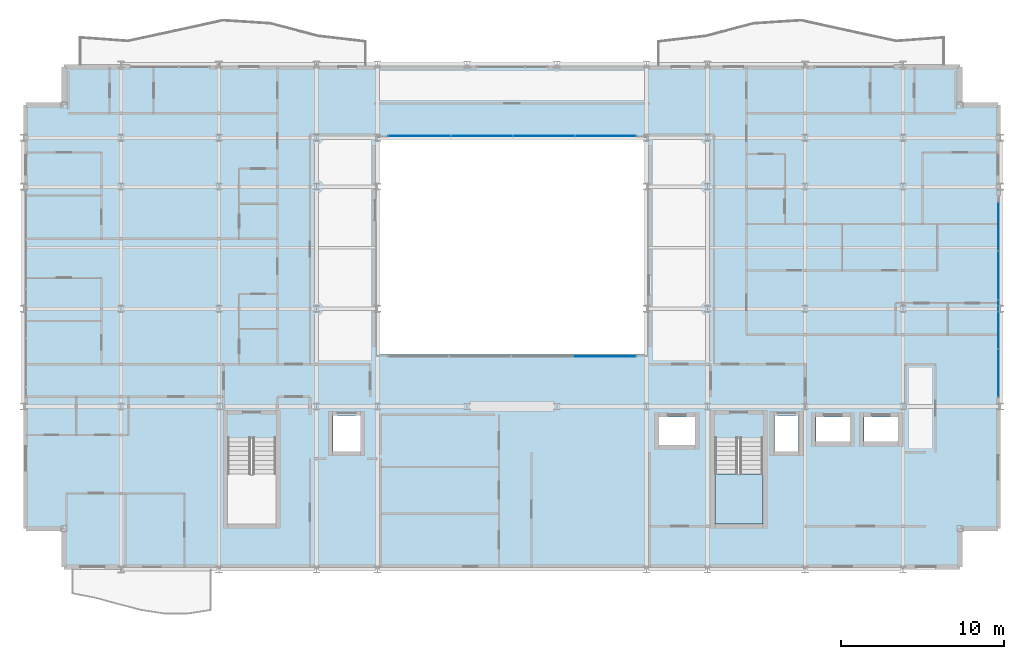
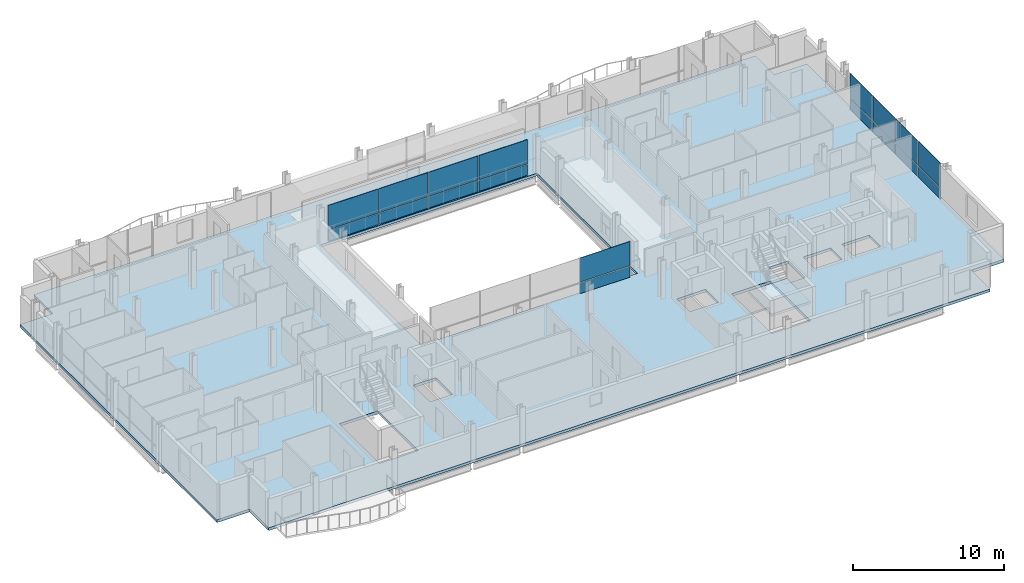
# One storey, part 29 of 41: 18 plates, 2 slabs, 4 elements without a shape of their own.
"""IFC4 building model written with IfcOpenShell, lengths in metres."""

from ifc_helpers import new_model, si_unit, direction, frame, origin, origin_2d, place, context, subcontext, project, spatial, polyline, rectangle, outline, extrude, material, layer, layer_set, type_object, element, aggregate, save


model = new_model("IFC4")

# Units and contexts
model_context = context("Model", 3, precision=1e-05, world=origin(), true_north=direction((0.0, 1.0)))
body_context = subcontext(model_context, "Body", "Model", "MODEL_VIEW")
ifc_project = project(units=[si_unit("LENGTHUNIT", "METRE"), si_unit("AREAUNIT", "SQUARE_METRE"), si_unit("VOLUMEUNIT", "CUBIC_METRE"), si_unit("PLANEANGLEUNIT", "RADIAN"), si_unit("MASSUNIT", "GRAM", prefix="KILO")], contexts=[model_context])

# Site, building, storey
site_placement = place(None, origin())
site = spatial("IfcSite", under=ifc_project, at=site_placement, CompositionType="ELEMENT")
building_placement = place(site_placement, origin())
building = spatial("IfcBuilding", under=site, at=building_placement, Name="Brevholm Reach", CompositionType="ELEMENT")
storey_placement = place(building_placement, frame((0.0, 0.0, 138.699951171875)))
storey = spatial("IfcBuildingStorey", under=building, at=storey_placement, Name="L41", CompositionType="ELEMENT", Elevation=138.699951171875)

# Curtain wall, plates
ifc_material_1 = material(Name="Dark Anodised Aluminium 6063-T6 and Solar-Control Glass", Category="aluminium")
ifc_layer_1 = layer(ifc_material_1, 0.14990234375)
ifc_layer_set_1 = layer_set([ifc_layer_1], Name="Dark Anodised Aluminium 6063-T6 and Solar-Control Glass")
curtain_wall_type_1 = type_object("IfcCurtainWallType", Name="CW-01", PredefinedType="NOTDEFINED", material=ifc_layer_set_1)
curtain_wall_1_placement = place(storey_placement, origin())
curtain_wall_1 = element("IfcCurtainWall", 1, at=curtain_wall_1_placement, inside=storey, type_object=curtain_wall_type_1, Name="L41 Curtain Wall CW-01", PredefinedType="NOTDEFINED")
ifc_material_2 = material(Name="Dark Solar-Control Double-Glazed IGU Glass", Category="glass")
ifc_layer_2 = layer(ifc_material_2, 0.028076171875)
ifc_layer_set_2 = layer_set([ifc_layer_2], Name="Dark Solar-Control Double-Glazed IGU Glass")
plate_type_1 = type_object("IfcPlateType", Name="CWP-GLZ-28", PredefinedType="CURTAIN_PANEL", material=ifc_layer_set_2)
plate_1_placement = place(storey_placement, frame((59.85009765625, 12.066162109375, 0.0), z_axis=(0.0, 0.0, 1.0), x_axis=(0.0, 1.0, 0.0)))
plate_1 = element("IfcPlate", 2, at=plate_1_placement, type_object=plate_type_1, Name="CP-01 Glazing Panel 1.1", PredefinedType="CURTAIN_PANEL", context=body_context, shape_type="SweptSolid", body=[
    extrude(rectangle(XDim=2.902587890625, YDim=0.028076171875, at=origin_2d()), origin(), (0.0, 0.0, 1.0), 0.867431640625),
])
plate_2_placement = place(storey_placement, frame((59.85009765625, 12.066162109375, 0.9326171875), z_axis=(0.0, 0.0, 1.0), x_axis=(0.0, 1.0, 0.0)))
plate_2 = element("IfcPlate", 3, at=plate_2_placement, type_object=plate_type_1, Name="CP-01 Glazing Panel 1.2", PredefinedType="CURTAIN_PANEL", context=body_context, shape_type="SweptSolid", body=[
    extrude(rectangle(XDim=2.902587890625, YDim=0.028076171875, at=origin_2d()), origin(), (0.0, 0.0, 1.0), 1.947509765625),
])
plate_3_placement = place(storey_placement, frame((59.85009765625, 15.050048828125, 0.0), z_axis=(0.0, 0.0, 1.0), x_axis=(0.0, 1.0, 0.0)))
plate_3 = element("IfcPlate", 4, at=plate_3_placement, type_object=plate_type_1, Name="CP-01 Glazing Panel 2.1", PredefinedType="CURTAIN_PANEL", context=body_context, shape_type="SweptSolid", body=[
    extrude(rectangle(XDim=2.93505859375, YDim=0.028076171875, at=origin_2d()), origin(), (0.0, 0.0, 1.0), 0.867431640625),
])
plate_4_placement = place(storey_placement, frame((59.85009765625, 15.050048828125, 0.9326171875), z_axis=(0.0, 0.0, 1.0), x_axis=(0.0, 1.0, 0.0)))
plate_4 = element("IfcPlate", 5, at=plate_4_placement, type_object=plate_type_1, Name="CP-01 Glazing Panel 2.2", PredefinedType="CURTAIN_PANEL", context=body_context, shape_type="SweptSolid", body=[
    extrude(rectangle(XDim=2.93505859375, YDim=0.028076171875, at=origin_2d()), origin(), (0.0, 0.0, 1.0), 1.947509765625),
])
plate_5_placement = place(storey_placement, frame((59.85009765625, 18.050048828125, 0.0), z_axis=(0.0, 0.0, 1.0), x_axis=(0.0, 1.0, 0.0)))
plate_5 = element("IfcPlate", 6, at=plate_5_placement, type_object=plate_type_1, Name="CP-01 Glazing Panel 3.1", PredefinedType="CURTAIN_PANEL", context=body_context, shape_type="SweptSolid", body=[
    extrude(rectangle(XDim=2.93505859375, YDim=0.028076171875, at=origin_2d()), origin(), (0.0, 0.0, 1.0), 0.867431640625),
])
plate_6_placement = place(storey_placement, frame((59.85009765625, 18.050048828125, 0.9326171875), z_axis=(0.0, 0.0, 1.0), x_axis=(0.0, 1.0, 0.0)))
plate_6 = element("IfcPlate", 7, at=plate_6_placement, type_object=plate_type_1, Name="CP-01 Glazing Panel 3.2", PredefinedType="CURTAIN_PANEL", context=body_context, shape_type="SweptSolid", body=[
    extrude(rectangle(XDim=2.93505859375, YDim=0.028076171875, at=origin_2d()), origin(), (0.0, 0.0, 1.0), 1.947509765625),
])
plate_7_placement = place(storey_placement, frame((59.85009765625, 21.050048828125, 0.0), z_axis=(0.0, 0.0, 1.0), x_axis=(0.0, 1.0, 0.0)))
plate_7 = element("IfcPlate", 8, at=plate_7_placement, type_object=plate_type_1, Name="CP-01 Glazing Panel 4.1", PredefinedType="CURTAIN_PANEL", context=body_context, shape_type="SweptSolid", body=[
    extrude(rectangle(XDim=2.93505859375, YDim=0.028076171875, at=origin_2d()), origin(), (0.0, 0.0, 1.0), 0.867431640625),
])
plate_8_placement = place(storey_placement, frame((59.85009765625, 21.050048828125, 0.9326171875), z_axis=(0.0, 0.0, 1.0), x_axis=(0.0, 1.0, 0.0)))
plate_8 = element("IfcPlate", 9, at=plate_8_placement, type_object=plate_type_1, Name="CP-01 Glazing Panel 4.2", PredefinedType="CURTAIN_PANEL", context=body_context, shape_type="SweptSolid", body=[
    extrude(rectangle(XDim=2.93505859375, YDim=0.028076171875, at=origin_2d()), origin(), (0.0, 0.0, 1.0), 1.947509765625),
])
aggregate(curtain_wall_1, [plate_1, plate_2, plate_3, plate_4, plate_5, plate_6, plate_7, plate_8])

ifc_material_3 = material(Name="Dark Anodised Aluminium 6063-T6 and Solar-Control Glass", Category="aluminium")
ifc_layer_3 = layer(ifc_material_3, 0.139892578125)
ifc_layer_set_3 = layer_set([ifc_layer_3], Name="Dark Anodised Aluminium 6063-T6 and Solar-Control Glass")
curtain_wall_type_2 = type_object("IfcCurtainWallType", Name="CW-02", PredefinedType="NOTDEFINED", material=ifc_layer_set_3)
curtain_wall_2_placement = place(storey_placement, origin())
curtain_wall_2 = element("IfcCurtainWall", 10, at=curtain_wall_2_placement, inside=storey, type_object=curtain_wall_type_2, Name="L41 Curtain Wall CW-02", PredefinedType="NOTDEFINED")
ifc_material_4 = material(Name="Low-Iron Laminated Acoustic Glass", Category="glass")
ifc_layer_4 = layer(ifc_material_4, 0.035888671875)
ifc_layer_set_4 = layer_set([ifc_layer_4], Name="Low-Iron Laminated Acoustic Glass")
plate_type_2 = type_object("IfcPlateType", Name="CWP-GLZ-36", PredefinedType="CURTAIN_PANEL", material=ifc_layer_set_4)
plate_9_placement = place(storey_placement, frame((35.68505859375, 13.080078125, 0.0), z_axis=(0.0, 0.0, 1.0), x_axis=(1.0, 0.0, 0.0)))
plate_9 = element("IfcPlate", 11, at=plate_9_placement, type_object=plate_type_2, Name="CP-02 Glazing Panel 4.1", PredefinedType="CURTAIN_PANEL", context=body_context, shape_type="SweptSolid", body=[
    extrude(rectangle(XDim=3.81005859375, YDim=0.035888671875, at=origin_2d()), origin(), (0.0, 0.0, 1.0), 0.8701171875),
])
plate_10_placement = place(storey_placement, frame((35.68505859375, 13.080078125, 0.93017578125), z_axis=(0.0, 0.0, 1.0), x_axis=(1.0, 0.0, 0.0)))
plate_10 = element("IfcPlate", 12, at=plate_10_placement, type_object=plate_type_2, Name="CP-02 Glazing Panel 4.2", PredefinedType="CURTAIN_PANEL", context=body_context, shape_type="SweptSolid", body=[
    extrude(rectangle(XDim=3.81005859375, YDim=0.035888671875, at=origin_2d()), origin(), (0.0, 0.0, 1.0), 1.949951171875),
])
aggregate(curtain_wall_2, [plate_9, plate_10])

curtain_wall_3_placement = place(storey_placement, origin())
curtain_wall_3 = element("IfcCurtainWall", 13, at=curtain_wall_3_placement, inside=storey, type_object=curtain_wall_type_2, Name="L41 Curtain Wall CW-02", PredefinedType="NOTDEFINED")
plate_11_placement = place(storey_placement, frame((35.735107421875, 26.6201171875, 0.0), z_axis=(0.0, 0.0, 1.0), x_axis=(-1.0, 0.0, 0.0)))
plate_11 = element("IfcPlate", 14, at=plate_11_placement, type_object=plate_type_2, Name="CP-02 Glazing Panel 1.1", PredefinedType="CURTAIN_PANEL", context=body_context, shape_type="SweptSolid", body=[
    extrude(rectangle(XDim=3.7099609375, YDim=0.035888671875, at=origin_2d()), origin(), (0.0, 0.0, 1.0), 0.8701171875),
])
plate_12_placement = place(storey_placement, frame((35.735107421875, 26.6201171875, 0.93017578125), z_axis=(0.0, 0.0, 1.0), x_axis=(-1.0, 0.0, 0.0)))
plate_12 = element("IfcPlate", 15, at=plate_12_placement, type_object=plate_type_2, Name="CP-02 Glazing Panel 1.2", PredefinedType="CURTAIN_PANEL", context=body_context, shape_type="SweptSolid", body=[
    extrude(rectangle(XDim=3.7099609375, YDim=0.035888671875, at=origin_2d()), origin(), (0.0, 0.0, 1.0), 1.949951171875),
])
plate_13_placement = place(storey_placement, frame((31.949951171875, 26.6201171875, 0.0), z_axis=(0.0, 0.0, 1.0), x_axis=(-1.0, 0.0, 0.0)))
plate_13 = element("IfcPlate", 16, at=plate_13_placement, type_object=plate_type_2, Name="CP-02 Glazing Panel 2.1", PredefinedType="CURTAIN_PANEL", context=body_context, shape_type="SweptSolid", body=[
    extrude(rectangle(XDim=3.739990234375, YDim=0.035888671875, at=origin_2d()), origin(), (0.0, 0.0, 1.0), 0.8701171875),
])
plate_14_placement = place(storey_placement, frame((31.949951171875, 26.6201171875, 0.93017578125), z_axis=(0.0, 0.0, 1.0), x_axis=(-1.0, 0.0, 0.0)))
plate_14 = element("IfcPlate", 17, at=plate_14_placement, type_object=plate_type_2, Name="CP-02 Glazing Panel 2.2", PredefinedType="CURTAIN_PANEL", context=body_context, shape_type="SweptSolid", body=[
    extrude(rectangle(XDim=3.739990234375, YDim=0.035888671875, at=origin_2d()), origin(), (0.0, 0.0, 1.0), 1.949951171875),
])
plate_15_placement = place(storey_placement, frame((28.14990234375, 26.6201171875, 0.0), z_axis=(0.0, 0.0, 1.0), x_axis=(-1.0, 0.0, 0.0)))
plate_15 = element("IfcPlate", 18, at=plate_15_placement, type_object=plate_type_2, Name="CP-02 Glazing Panel 3.1", PredefinedType="CURTAIN_PANEL", context=body_context, shape_type="SweptSolid", body=[
    extrude(rectangle(XDim=3.739990234375, YDim=0.035888671875, at=origin_2d()), origin(), (0.0, 0.0, 1.0), 0.8701171875),
])
plate_16_placement = place(storey_placement, frame((28.14990234375, 26.6201171875, 0.93017578125), z_axis=(0.0, 0.0, 1.0), x_axis=(-1.0, 0.0, 0.0)))
plate_16 = element("IfcPlate", 19, at=plate_16_placement, type_object=plate_type_2, Name="CP-02 Glazing Panel 3.2", PredefinedType="CURTAIN_PANEL", context=body_context, shape_type="SweptSolid", body=[
    extrude(rectangle(XDim=3.739990234375, YDim=0.035888671875, at=origin_2d()), origin(), (0.0, 0.0, 1.0), 1.949951171875),
])
plate_17_placement = place(storey_placement, frame((24.31494140625, 26.6201171875, 0.0), z_axis=(0.0, 0.0, 1.0), x_axis=(-1.0, 0.0, 0.0)))
plate_17 = element("IfcPlate", 20, at=plate_17_placement, type_object=plate_type_2, Name="CP-02 Glazing Panel 4.1", PredefinedType="CURTAIN_PANEL", context=body_context, shape_type="SweptSolid", body=[
    extrude(rectangle(XDim=3.81005859375, YDim=0.035888671875, at=origin_2d()), origin(), (0.0, 0.0, 1.0), 0.8701171875),
])
plate_18_placement = place(storey_placement, frame((24.31494140625, 26.6201171875, 0.93017578125), z_axis=(0.0, 0.0, 1.0), x_axis=(-1.0, 0.0, 0.0)))
plate_18 = element("IfcPlate", 21, at=plate_18_placement, type_object=plate_type_2, Name="CP-02 Glazing Panel 4.2", PredefinedType="CURTAIN_PANEL", context=body_context, shape_type="SweptSolid", body=[
    extrude(rectangle(XDim=3.81005859375, YDim=0.035888671875, at=origin_2d()), origin(), (0.0, 0.0, 1.0), 1.949951171875),
])
aggregate(curtain_wall_3, [plate_11, plate_12, plate_13, plate_14, plate_15, plate_16, plate_17, plate_18])

# Slab
ifc_material_5 = material(Name="Concrete C40/50", Category="concrete")
ifc_layer_5 = layer(ifc_material_5, 0.219970703125)
ifc_layer_set_5 = layer_set([ifc_layer_5], Name="Concrete C40/50")
slab_type_1 = type_object("IfcSlabType", Name="SLB-FL-220", PredefinedType="FLOOR", material=ifc_layer_set_5)
slab_1_placement = place(storey_placement, frame((0.0, 0.0, -0.219970703125)))
element("IfcSlab", 22, at=slab_1_placement, inside=storey, type_object=slab_type_1, Name="L41 Suspended Floor Slab (main)", PredefinedType="FLOOR", context=body_context, shape_type="SweptSolid", body=[
    extrude(outline(polyline([(2.5, 0.0), (57.5, 0.0), (57.5, 2.5), (60.0, 2.5), (60.0, 28.5), (57.5, 28.5), (57.5, 31.0), (2.5, 31.0), (2.5, 28.5), (0.0, 28.5), (0.0, 2.5), (2.5, 2.5), (2.5, 0.0)]), holes=[polyline([(21.75, 13.199951171875), (38.25, 13.199951171875), (38.25, 26.5), (21.75, 26.5), (21.75, 13.199951171875)]), polyline([(12.550048828125, 2.780029296875), (15.5, 2.780029296875), (15.5, 8.044921875), (12.550048828125, 8.044921875), (12.550048828125, 2.780029296875)]), polyline([(42.449951171875, 2.780029296875), (45.39990234375, 2.780029296875), (45.39990234375, 8.044921875), (42.449951171875, 8.044921875), (42.449951171875, 2.780029296875)]), polyline([(19.0, 7.25), (20.699951171875, 7.25), (20.699951171875, 9.449951171875), (19.0, 9.449951171875), (19.0, 7.25)]), polyline([(46.10009765625, 7.25), (47.60009765625, 7.25), (47.60009765625, 9.449951171875), (46.10009765625, 9.449951171875), (46.10009765625, 7.25)]), polyline([(39.02001953125, 7.64990234375), (41.219970703125, 7.64990234375), (41.219970703125, 9.35009765625), (39.02001953125, 9.35009765625), (39.02001953125, 7.64990234375)]), polyline([(48.64990234375, 7.85009765625), (50.75, 7.85009765625), (50.75, 9.35009765625), (48.64990234375, 9.35009765625), (48.64990234375, 7.85009765625)]), polyline([(51.60009765625, 7.85009765625), (53.699951171875, 7.85009765625), (53.699951171875, 9.35009765625), (51.60009765625, 9.35009765625), (51.60009765625, 7.85009765625)])]), origin(), (0.0, 0.0, 1.0), 0.219970703125),
])

# Stair, slab
ifc_material_6 = material(Name="Precast Concrete C40/50", Category="concrete")
stair_type = type_object("IfcStairType", Name="STR-ESC-1400", PredefinedType="DOUBLE_RETURN_STAIR", material=ifc_material_6)
stair_placement = place(storey_placement, origin())
stair = element("IfcStair", 23, at=stair_placement, inside=storey, type_object=stair_type, Name="L41 ST-2", PredefinedType="DOUBLE_RETURN_STAIR")
ifc_material_7 = material(Name="Concrete C40/50", Category="concrete")
ifc_layer_6 = layer(ifc_material_7, 0.199951171875)
ifc_layer_set_6 = layer_set([ifc_layer_6], Name="Concrete C40/50")
slab_type_2 = type_object("IfcSlabType", Name="SLB-LND-200", PredefinedType="LANDING", material=ifc_layer_set_6)
slab_2_placement = place(storey_placement, frame((0.0, 0.0, 1.35009765625)))
slab_2 = element("IfcSlab", 24, at=slab_2_placement, type_object=slab_type_2, Name="ST-2 landing 1", PredefinedType="LANDING", context=body_context, shape_type="SweptSolid", body=[
    extrude(outline(polyline([(42.449951171875, 5.860107421875), (42.449951171875, 2.780029296875), (45.39990234375, 2.780029296875), (45.39990234375, 5.860107421875), (42.449951171875, 5.860107421875)])), origin(), (0.0, 0.0, 1.0), 0.199951171875),
])
aggregate(stair, [slab_2])

save(model, "model.ifc")
